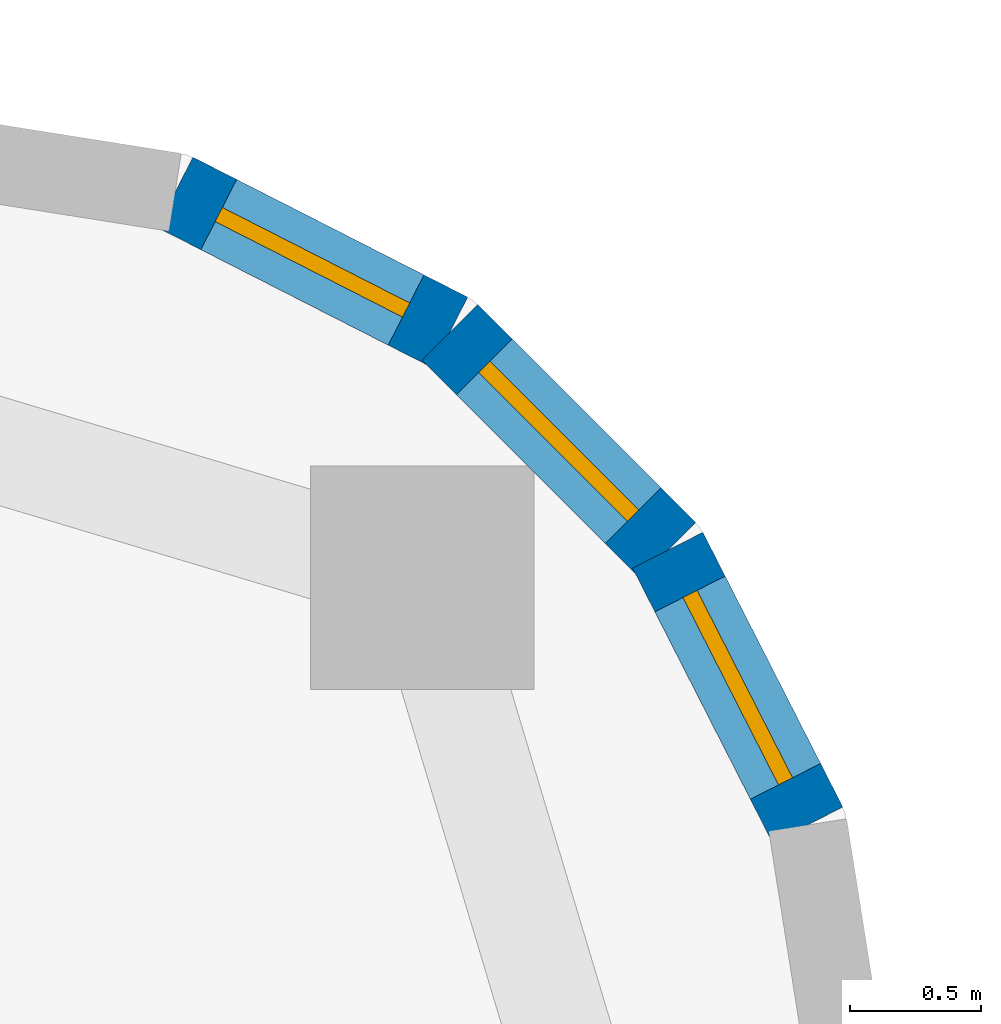
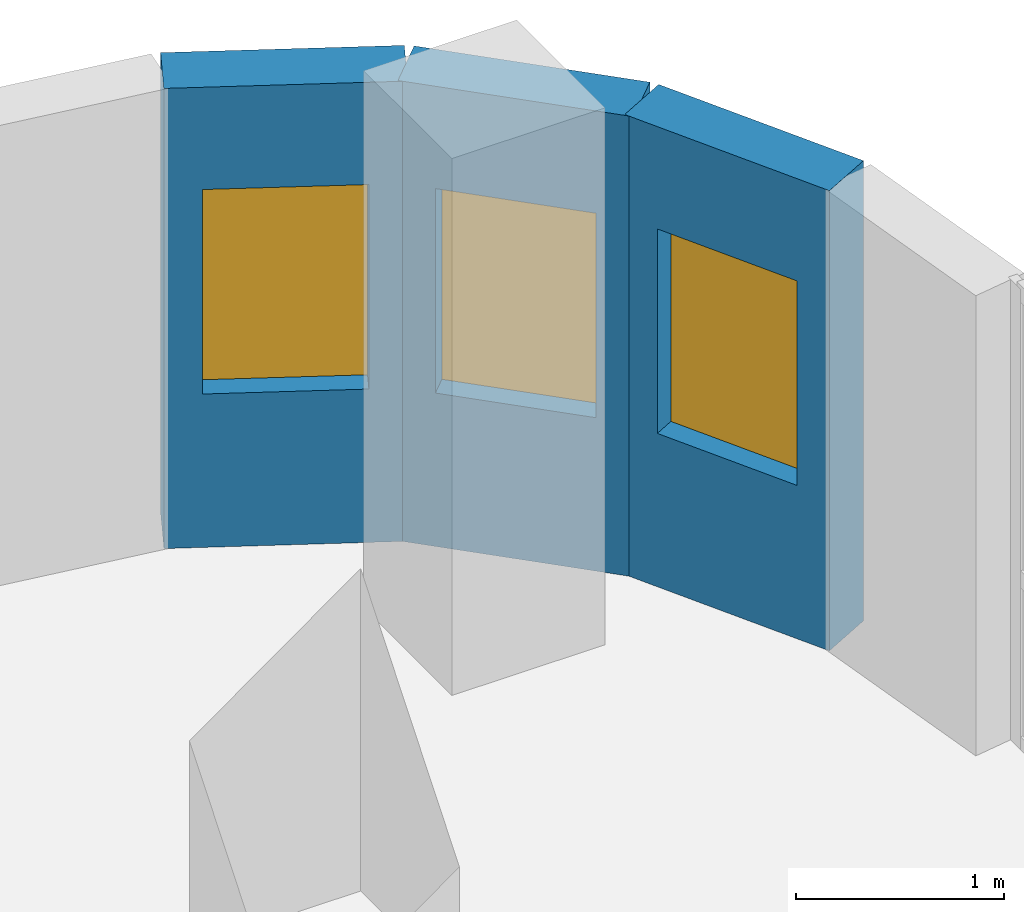
# One storey, part 14 of 19: 3 walls, 3 windows, 3 openings.
"""IFC4 building model written with IfcOpenShell, lengths in metres."""

from ifc_helpers import new_model, si_unit, direction, frame, frame_2d, origin, place, context, subcontext, project, spatial, rectangle, extrude, material, layer, layer_set, type_object, element, fill, save


model = new_model("IFC4")

# Units and contexts
model_context = context("Model", 3, precision=1e-05, world=origin(), true_north=direction((0.0, 1.0)))
body_context = subcontext(model_context, "Body", "Model", "MODEL_VIEW")
ifc_project = project(units=[si_unit("LENGTHUNIT", "METRE"), si_unit("AREAUNIT", "SQUARE_METRE"), si_unit("VOLUMEUNIT", "CUBIC_METRE"), si_unit("PLANEANGLEUNIT", "RADIAN"), si_unit("MASSUNIT", "GRAM", prefix="KILO")], contexts=[model_context])

# Site, building, storey
site_placement = place(None, origin())
site = spatial("IfcSite", under=ifc_project, at=site_placement, CompositionType="ELEMENT")
building_placement = place(site_placement, origin())
building = spatial("IfcBuilding", under=site, at=building_placement, Name="Ludao Terraces", CompositionType="ELEMENT")
storey_placement = place(building_placement, frame((0.0, 0.0, 133.89990234375)))
storey = spatial("IfcBuildingStorey", under=building, at=storey_placement, Name="L36", CompositionType="ELEMENT", Elevation=133.89990234375)

# Wall, opening, window
ifc_material_1 = material(Name="Granite cladding", Category="masonry")
ifc_layer_1 = layer(ifc_material_1, 0.0400390625, Category="stone")
ifc_material_2 = material(Name="Mineral wool")
ifc_layer_2 = layer(ifc_material_2, 0.06005859375)
ifc_material_3 = material(Name="Concrete C40", Category="concrete")
ifc_layer_3 = layer(ifc_material_3, 0.199951171875, Category="concrete")
ifc_layer_set_1 = layer_set([ifc_layer_1, ifc_layer_2, ifc_layer_3], Name="ENV Stone-clad wall 300")
wall_type = type_object("IfcWallType", Name="ENV Stone-clad wall 300", PredefinedType="SOLIDWALL", material=ifc_layer_set_1)
wall_1_placement = place(storey_placement, frame((104.16650390625, 81.7587890625, 0.0), z_axis=(0.0, 0.0, 1.0), x_axis=(-0.454025524128, 0.890988677504, 0.0)))
wall_1 = element("IfcWall", 1, at=wall_1_placement, inside=storey, type_object=wall_type, Name="EW-L36-NE2", PredefinedType="SOLIDWALL", context=body_context, shape_type="SweptSolid", body=[
    extrude(rectangle(XDim=1.17333984375, YDim=0.300048828125, at=frame_2d((0.586669921875, 0.0))), origin(), (0.0, 0.0, 1.0), 2.7001953125),
])
opening_1_placement = place(wall_1_placement, frame((0.1865234375, 0.0, 0.89990234375)))
opening_1 = element("IfcOpeningElement", 2, at=opening_1_placement, cuts=wall_1, Name="Opening W3", PredefinedType="OPENING", context=body_context, shape_type="SweptSolid", body=[
    extrude(rectangle(XDim=0.800048828125, YDim=1.199951171875, at=frame_2d((0.39990234375, 0.60009765625))), frame((0.0, 0.16015625, 0.0), z_axis=(0.0, -1.0, 0.0), x_axis=(1.0, 0.0, 0.0)), (0.0, 0.0, 1.0), 0.320068359375),
])
ifc_material_4 = material(Name="Clear glass in aluminium frame", Category="aluminium")
ifc_layer_4 = layer(ifc_material_4, 0.06005859375)
ifc_layer_set_2 = layer_set([ifc_layer_4], Name="ENV Window W3 800x1200")
window_type = type_object("IfcWindowType", Name="ENV Window W3 800x1200", PartitioningType="SINGLE_PANEL", PredefinedType="WINDOW", material=ifc_layer_set_2)
window_1_placement = place(opening_1_placement, origin())
window_1 = element("IfcWindow", 3, at=window_1_placement, inside=storey, type_object=window_type, Name="W-L36-NE2", OverallHeight=1.199951171875, OverallWidth=0.800048828125, PartitioningType="SINGLE_PANEL", PredefinedType="WINDOW", context=body_context, shape_type="SweptSolid", body=[
    extrude(rectangle(XDim=0.800048828125, YDim=1.199951171875, at=frame_2d((0.39990234375, 0.60009765625))), frame((0.0, 0.030029296875, 0.0), z_axis=(0.0, -1.0, 0.0), x_axis=(1.0, 0.0, 0.0)), (0.0, 0.0, 1.0), 0.06005859375),
])
fill(opening_1, window_1)

wall_2_placement = place(storey_placement, frame((103.6337890625, 82.80419921875, 0.0), z_axis=(0.0, 0.0, 1.0), x_axis=(-0.707106781187, 0.707106781187, 0.0)))
wall_2 = element("IfcWall", 4, at=wall_2_placement, inside=storey, type_object=wall_type, Name="EW-L36-NE3", PredefinedType="SOLIDWALL", context=body_context, shape_type="SweptSolid", body=[
    extrude(rectangle(XDim=1.173095703125, YDim=0.300048828125, at=frame_2d((0.58642578125, 0.0))), origin(), (0.0, 0.0, 1.0), 2.7001953125),
])
opening_2_placement = place(wall_2_placement, frame((0.1865234375, 0.0, 0.89990234375)))
opening_2 = element("IfcOpeningElement", 5, at=opening_2_placement, cuts=wall_2, Name="Opening W3", PredefinedType="OPENING", context=body_context, shape_type="SweptSolid", body=[
    extrude(rectangle(XDim=0.800048828125, YDim=1.199951171875, at=frame_2d((0.39990234375, 0.60009765625))), frame((0.0, 0.16015625, 0.0), z_axis=(0.0, -1.0, 0.0), x_axis=(1.0, 0.0, 0.0)), (0.0, 0.0, 1.0), 0.320068359375),
])
window_2_placement = place(opening_2_placement, origin())
window_2 = element("IfcWindow", 6, at=window_2_placement, inside=storey, type_object=window_type, Name="W-L36-NE3", OverallHeight=1.199951171875, OverallWidth=0.800048828125, PartitioningType="SINGLE_PANEL", PredefinedType="WINDOW", context=body_context, shape_type="SweptSolid", body=[
    extrude(rectangle(XDim=0.800048828125, YDim=1.199951171875, at=frame_2d((0.39990234375, 0.60009765625))), frame((0.0, 0.030029296875, 0.0), z_axis=(0.0, -1.0, 0.0), x_axis=(1.0, 0.0, 0.0)), (0.0, 0.0, 1.0), 0.06005859375),
])
fill(opening_2, window_2)

wall_3_placement = place(storey_placement, frame((102.80419921875, 83.6337890625, 0.0), z_axis=(0.0, 0.0, 1.0), x_axis=(-0.890988677504, 0.454025524128, 0.0)))
wall_3 = element("IfcWall", 7, at=wall_3_placement, inside=storey, type_object=wall_type, Name="EW-L36-NE4", PredefinedType="SOLIDWALL", context=body_context, shape_type="SweptSolid", body=[
    extrude(rectangle(XDim=1.17333984375, YDim=0.300048828125, at=frame_2d((0.586669921875, 0.0))), origin(), (0.0, 0.0, 1.0), 2.7001953125),
])
opening_3_placement = place(wall_3_placement, frame((0.1865234375, 0.0, 0.89990234375)))
opening_3 = element("IfcOpeningElement", 8, at=opening_3_placement, cuts=wall_3, Name="Opening W3", PredefinedType="OPENING", context=body_context, shape_type="SweptSolid", body=[
    extrude(rectangle(XDim=0.800048828125, YDim=1.199951171875, at=frame_2d((0.39990234375, 0.60009765625))), frame((0.0, 0.16015625, 0.0), z_axis=(0.0, -1.0, 0.0), x_axis=(1.0, 0.0, 0.0)), (0.0, 0.0, 1.0), 0.320068359375),
])
window_3_placement = place(opening_3_placement, origin())
window_3 = element("IfcWindow", 9, at=window_3_placement, inside=storey, type_object=window_type, Name="W-L36-NE4", OverallHeight=1.199951171875, OverallWidth=0.800048828125, PartitioningType="SINGLE_PANEL", PredefinedType="WINDOW", context=body_context, shape_type="SweptSolid", body=[
    extrude(rectangle(XDim=0.800048828125, YDim=1.199951171875, at=frame_2d((0.39990234375, 0.60009765625))), frame((0.0, 0.030029296875, 0.0), z_axis=(0.0, -1.0, 0.0), x_axis=(1.0, 0.0, 0.0)), (0.0, 0.0, 1.0), 0.06005859375),
])
fill(opening_3, window_3)

save(model, "model.ifc")
